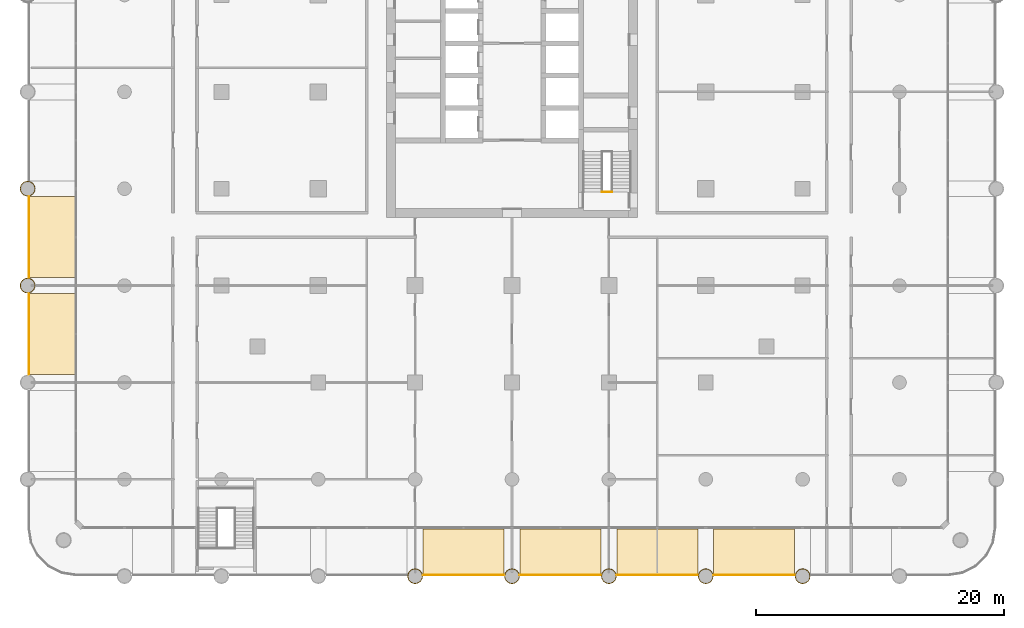
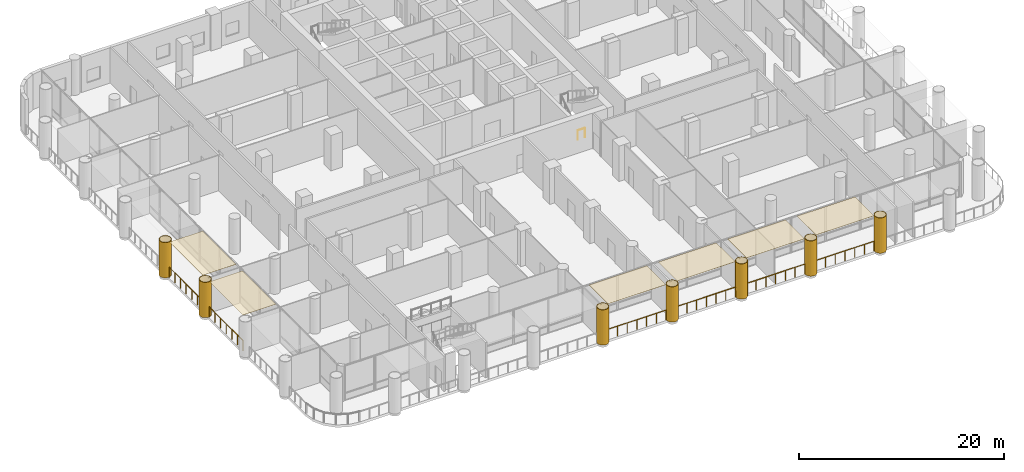
# One storey, part 21 of 24: 13 coverings, 7 railings, 1 element without a shape of its own.
"""IFC4 building model written with IfcOpenShell, lengths in metres."""

from ifc_helpers import new_model, si_unit, direction, frame, origin, origin_2d, place, context, subcontext, project, spatial, polyline, rectangle, circle, outline, extrude, material, layer, layer_set, type_object, element, aggregate, save


model = new_model("IFC4")

# Units and contexts
model_context = context("Model", 3, precision=1e-05, world=origin(), true_north=direction((0.0, 1.0)))
body_context = subcontext(model_context, "Body", "Model", "MODEL_VIEW")
ifc_project = project(units=[si_unit("LENGTHUNIT", "METRE"), si_unit("AREAUNIT", "SQUARE_METRE"), si_unit("VOLUMEUNIT", "CUBIC_METRE"), si_unit("PLANEANGLEUNIT", "RADIAN"), si_unit("MASSUNIT", "GRAM", prefix="KILO")], contexts=[model_context])

# Site, building, storey
site_placement = place(None, origin())
site = spatial("IfcSite", under=ifc_project, at=site_placement, CompositionType="ELEMENT")
building_placement = place(site_placement, origin())
building = spatial("IfcBuilding", under=site, at=building_placement, Name="Ludao Terraces", CompositionType="ELEMENT")
storey_placement = place(building_placement, frame((0.0, 0.0, 6.0)))
storey = spatial("IfcBuildingStorey", under=building, at=storey_placement, Name="L01", CompositionType="ELEMENT", Elevation=6.0)

# Coverings
ifc_material_1 = material(Name="Stone-effect cement board ceiling lining", Category="masonry")
ifc_layer_1 = layer(ifc_material_1, 0.030029296875)
ifc_layer_set_1 = layer_set([ifc_layer_1], Name="ENV Arcade ceiling lining 30")
covering_type_1 = type_object("IfcCoveringType", Name="ENV Arcade ceiling lining 30", PredefinedType="CEILING", material=ifc_layer_set_1)
for number, where, z_axis, x_axis, name in (
    (1, (81.10009765625, 27.9599609375, 4.169921875), (0.0, 0.0, 1.0), (1.0, 0.0, 0.0), "CL-L01-S4"),
    (2, (88.89990234375, 27.9599609375, 4.169921875), (0.0, 0.0, 1.0), (1.0, 0.0, 0.0), "CL-L01-S5"),
    (3, (96.699951171875, 27.9599609375, 4.169921875), (0.0, 0.0, 1.0), (1.0, 0.0, 0.0), "CL-L01-S6"),
    (4, (104.5, 27.9599609375, 4.169921875), (0.0, 0.0, 1.0), (1.0, 0.0, 0.0), "CL-L01-S7"),
):
    element("IfcCovering", number, at=place(storey_placement, frame(where, z_axis=z_axis, x_axis=x_axis)), inside=storey, type_object=covering_type_1, Name=name, PredefinedType="CEILING", context=body_context, shape_type="SweptSolid", body=[
        extrude(rectangle(XDim=6.52001953125, YDim=3.719970703125, at=origin_2d()), origin(), (0.0, 0.0, 1.0), 0.030029296875),
    ])
for number, where, z_axis, x_axis, name in (
    (5, (47.9599609375, 45.5, 4.169921875), (0.0, 0.0, 1.0), (1.0, 0.0, 0.0), "CL-L01-W2"),
    (6, (47.9599609375, 53.300048828125, 4.169921875), (0.0, 0.0, 1.0), (1.0, 0.0, 0.0), "CL-L01-W3"),
):
    element("IfcCovering", number, at=place(storey_placement, frame(where, z_axis=z_axis, x_axis=x_axis)), inside=storey, type_object=covering_type_1, Name=name, PredefinedType="CEILING", context=body_context, shape_type="SweptSolid", body=[
        extrude(rectangle(XDim=3.719970703125, YDim=6.52001953125, at=origin_2d()), origin(), (0.0, 0.0, 1.0), 0.030029296875),
    ])

# Railings
ifc_material_2 = material(Name="Steel Q235", Category="steel")
railing_type_1 = type_object("IfcRailingType", Name="ENV Open-edge guard 1200", PredefinedType="GUARDRAIL", material=ifc_material_2)
for number, where, name in (
    (7, (77.820068359375, 26.10009765625, 0.0), "Guard L01 S5"),
    (8, (85.6201171875, 26.10009765625, 0.0), "Guard L01 S6"),
):
    element("IfcRailing", number, at=place(storey_placement, frame(where)), inside=storey, type_object=railing_type_1, Name=name, PredefinedType="GUARDRAIL", context=body_context, shape_type="SweptSolid", body=[
        extrude(circle(Radius=0.02392578125, at=origin_2d()), frame((0.0, 0.0, 1.17578125), z_axis=(1.0, 0.0, 0.0), x_axis=(0.0, 1.0, 0.0)), (0.0, 0.0, 1.0), 6.559814453125),
        extrude(circle(Radius=0.02099609375, at=origin_2d()), origin(), (0.0, 0.0, 1.0), 1.15185546875),
        extrude(circle(Radius=0.02099609375, at=origin_2d()), frame((1.09326171875, 0.0, 0.0)), (0.0, 0.0, 1.0), 1.15185546875),
        extrude(circle(Radius=0.02099609375, at=origin_2d()), frame((2.1865234375, 0.0, 0.0)), (0.0, 0.0, 1.0), 1.15185546875),
        extrude(circle(Radius=0.02099609375, at=origin_2d()), frame((3.27978515625, 0.0, 0.0)), (0.0, 0.0, 1.0), 1.15185546875),
        extrude(circle(Radius=0.02099609375, at=origin_2d()), frame((4.373291015625, 0.0, 0.0)), (0.0, 0.0, 1.0), 1.15185546875),
        extrude(circle(Radius=0.02099609375, at=origin_2d()), frame((5.466552734375, 0.0, 0.0)), (0.0, 0.0, 1.0), 1.15185546875),
        extrude(circle(Radius=0.02099609375, at=origin_2d()), frame((6.559814453125, 0.0, 0.0)), (0.0, 0.0, 1.0), 1.15185546875),
    ])
for number, where, name in (
    (9, (93.419921875, 26.10009765625, 0.0), "Guard L01 S7"),
    (10, (101.219970703125, 26.10009765625, 0.0), "Guard L01 S8"),
):
    element("IfcRailing", number, at=place(storey_placement, frame(where)), inside=storey, type_object=railing_type_1, Name=name, PredefinedType="GUARDRAIL", context=body_context, shape_type="SweptSolid", body=[
        extrude(circle(Radius=0.02392578125, at=origin_2d()), frame((0.0, 0.0, 1.17578125), z_axis=(1.0, 0.0, 0.0), x_axis=(0.0, 1.0, 0.0)), (0.0, 0.0, 1.0), 6.56005859375),
        extrude(circle(Radius=0.02099609375, at=origin_2d()), origin(), (0.0, 0.0, 1.0), 1.15185546875),
        extrude(circle(Radius=0.02099609375, at=origin_2d()), frame((1.09326171875, 0.0, 0.0)), (0.0, 0.0, 1.0), 1.15185546875),
        extrude(circle(Radius=0.02099609375, at=origin_2d()), frame((2.186767578125, 0.0, 0.0)), (0.0, 0.0, 1.0), 1.15185546875),
        extrude(circle(Radius=0.02099609375, at=origin_2d()), frame((3.280029296875, 0.0, 0.0)), (0.0, 0.0, 1.0), 1.15185546875),
        extrude(circle(Radius=0.02099609375, at=origin_2d()), frame((4.373291015625, 0.0, 0.0)), (0.0, 0.0, 1.0), 1.15185546875),
        extrude(circle(Radius=0.02099609375, at=origin_2d()), frame((5.466796875, 0.0, 0.0)), (0.0, 0.0, 1.0), 1.15185546875),
        extrude(circle(Radius=0.02099609375, at=origin_2d()), frame((6.56005859375, 0.0, 0.0)), (0.0, 0.0, 1.0), 1.15185546875),
    ])
for number, where, name in (
    (11, (46.10009765625, 42.219970703125, 0.0), "Guard L01 W3"),
    (12, (46.10009765625, 50.02001953125, 0.0), "Guard L01 W4"),
):
    element("IfcRailing", number, at=place(storey_placement, frame(where)), inside=storey, type_object=railing_type_1, Name=name, PredefinedType="GUARDRAIL", context=body_context, shape_type="SweptSolid", body=[
        extrude(circle(Radius=0.02392578125, at=origin_2d()), frame((0.0, 0.0, 1.17578125), z_axis=(0.0, 1.0, 0.0), x_axis=(-1.0, 0.0, 0.0)), (0.0, 0.0, 1.0), 6.56005859375),
        extrude(circle(Radius=0.02099609375, at=origin_2d()), origin(), (0.0, 0.0, 1.0), 1.15185546875),
        extrude(circle(Radius=0.02099609375, at=origin_2d()), frame((0.0, 1.09326171875, 0.0)), (0.0, 0.0, 1.0), 1.15185546875),
        extrude(circle(Radius=0.02099609375, at=origin_2d()), frame((0.0, 2.186767578125, 0.0)), (0.0, 0.0, 1.0), 1.15185546875),
        extrude(circle(Radius=0.02099609375, at=origin_2d()), frame((0.0, 3.280029296875, 0.0)), (0.0, 0.0, 1.0), 1.15185546875),
        extrude(circle(Radius=0.02099609375, at=origin_2d()), frame((0.0, 4.373291015625, 0.0)), (0.0, 0.0, 1.0), 1.15185546875),
        extrude(circle(Radius=0.02099609375, at=origin_2d()), frame((0.0, 5.466796875, 0.0)), (0.0, 0.0, 1.0), 1.15185546875),
        extrude(circle(Radius=0.02099609375, at=origin_2d()), frame((0.0, 6.56005859375, 0.0)), (0.0, 0.0, 1.0), 1.15185546875),
    ])

# Coverings
ifc_material_3 = material(Name="Granite cladding", Category="masonry")
ifc_layer_2 = layer(ifc_material_3, 0.06005859375)
ifc_layer_set_2 = layer_set([ifc_layer_2], Name="ENV Stone column casing 60")
covering_type_2 = type_object("IfcCoveringType", Name="ENV Stone column casing 60", PredefinedType="CLADDING", material=ifc_layer_set_2)
covering_1_placement = place(storey_placement, origin())
element("IfcCovering", 13, at=covering_1_placement, inside=storey, type_object=covering_type_2, Name="CC-L01-G-156x0078", PredefinedType="CLADDING", context=body_context, shape_type="SweptSolid", body=[
    extrude(outline(polyline([(46.61474609375, 49.39990234375), (46.59375, 49.55908203125), (46.532470703125, 49.707275390625), (46.4345703125, 49.834716796875), (46.307373046875, 49.932373046875), (46.1591796875, 49.993896484375), (46.0, 50.0146484375), (45.8408203125, 49.993896484375), (45.692626953125, 49.932373046875), (45.5654296875, 49.834716796875), (45.467529296875, 49.707275390625), (45.40625, 49.55908203125), (45.38525390625, 49.39990234375), (45.40625, 49.240966796875), (45.467529296875, 49.092529296875), (45.5654296875, 48.96533203125), (45.692626953125, 48.86767578125), (45.8408203125, 48.80615234375), (46.0, 48.78515625), (46.1591796875, 48.80615234375), (46.307373046875, 48.86767578125), (46.4345703125, 48.96533203125), (46.532470703125, 49.092529296875), (46.59375, 49.240966796875), (46.61474609375, 49.39990234375)]), holes=[polyline([(46.535888671875, 49.25634765625), (46.48046875, 49.12255859375), (46.392333984375, 49.0078125), (46.27734375, 48.919677734375), (46.1435546875, 48.8642578125), (46.0, 48.84521484375), (45.8564453125, 48.8642578125), (45.72265625, 48.919677734375), (45.607666015625, 49.0078125), (45.51953125, 49.12255859375), (45.464111328125, 49.25634765625), (45.4453125, 49.39990234375), (45.464111328125, 49.54345703125), (45.51953125, 49.677490234375), (45.607666015625, 49.792236328125), (45.72265625, 49.88037109375), (45.8564453125, 49.935791015625), (46.0, 49.954833984375), (46.1435546875, 49.935791015625), (46.27734375, 49.88037109375), (46.392333984375, 49.792236328125), (46.48046875, 49.677490234375), (46.535888671875, 49.54345703125), (46.5546875, 49.39990234375), (46.535888671875, 49.25634765625)])]), origin(), (0.0, 0.0, 1.0), 4.199951171875),
])
covering_2_placement = place(storey_placement, origin())
element("IfcCovering", 14, at=covering_2_placement, inside=storey, type_object=covering_type_2, Name="CC-L01-G-156x0156", PredefinedType="CLADDING", context=body_context, shape_type="SweptSolid", body=[
    extrude(outline(polyline([(46.61474609375, 57.199951171875), (46.59375, 57.359130859375), (46.532470703125, 57.50732421875), (46.4345703125, 57.634765625), (46.307373046875, 57.732421875), (46.1591796875, 57.793701171875), (46.0, 57.814697265625), (45.8408203125, 57.793701171875), (45.692626953125, 57.732421875), (45.5654296875, 57.634765625), (45.467529296875, 57.50732421875), (45.40625, 57.359130859375), (45.38525390625, 57.199951171875), (45.40625, 57.040771484375), (45.467529296875, 56.892578125), (45.5654296875, 56.765380859375), (45.692626953125, 56.667724609375), (45.8408203125, 56.606201171875), (46.0, 56.585205078125), (46.1591796875, 56.606201171875), (46.307373046875, 56.667724609375), (46.4345703125, 56.765380859375), (46.532470703125, 56.892578125), (46.59375, 57.040771484375), (46.61474609375, 57.199951171875)]), holes=[polyline([(46.535888671875, 57.056396484375), (46.48046875, 56.922607421875), (46.392333984375, 56.8076171875), (46.27734375, 56.719482421875), (46.1435546875, 56.6640625), (46.0, 56.645263671875), (45.8564453125, 56.6640625), (45.72265625, 56.719482421875), (45.607666015625, 56.8076171875), (45.51953125, 56.922607421875), (45.464111328125, 57.056396484375), (45.4453125, 57.199951171875), (45.464111328125, 57.343505859375), (45.51953125, 57.477294921875), (45.607666015625, 57.59228515625), (45.72265625, 57.680419921875), (45.8564453125, 57.73583984375), (46.0, 57.754638671875), (46.1435546875, 57.73583984375), (46.27734375, 57.680419921875), (46.392333984375, 57.59228515625), (46.48046875, 57.477294921875), (46.535888671875, 57.343505859375), (46.5546875, 57.199951171875), (46.535888671875, 57.056396484375)])]), origin(), (0.0, 0.0, 1.0), 4.199951171875),
])
covering_3_placement = place(storey_placement, origin())
element("IfcCovering", 15, at=covering_3_placement, inside=storey, type_object=covering_type_2, Name="CC-L01-G0156x-156", PredefinedType="CLADDING", context=body_context, shape_type="SweptSolid", body=[
    extrude(outline(polyline([(77.814697265625, 26.0), (77.793701171875, 26.1591796875), (77.732421875, 26.307373046875), (77.634765625, 26.4345703125), (77.50732421875, 26.532470703125), (77.359130859375, 26.59375), (77.199951171875, 26.61474609375), (77.040771484375, 26.59375), (76.892578125, 26.532470703125), (76.765380859375, 26.4345703125), (76.667724609375, 26.307373046875), (76.606201171875, 26.1591796875), (76.585205078125, 26.0), (76.606201171875, 25.8408203125), (76.667724609375, 25.692626953125), (76.765380859375, 25.5654296875), (76.892578125, 25.467529296875), (77.040771484375, 25.40625), (77.199951171875, 25.38525390625), (77.359130859375, 25.40625), (77.50732421875, 25.467529296875), (77.634765625, 25.5654296875), (77.732421875, 25.692626953125), (77.793701171875, 25.8408203125), (77.814697265625, 26.0)]), holes=[polyline([(77.73583984375, 25.8564453125), (77.680419921875, 25.72265625), (77.59228515625, 25.607666015625), (77.477294921875, 25.51953125), (77.343505859375, 25.464111328125), (77.199951171875, 25.4453125), (77.056396484375, 25.464111328125), (76.922607421875, 25.51953125), (76.8076171875, 25.607666015625), (76.719482421875, 25.72265625), (76.6640625, 25.8564453125), (76.645263671875, 26.0), (76.6640625, 26.1435546875), (76.719482421875, 26.27734375), (76.8076171875, 26.392333984375), (76.922607421875, 26.48046875), (77.056396484375, 26.535888671875), (77.199951171875, 26.5546875), (77.343505859375, 26.535888671875), (77.477294921875, 26.48046875), (77.59228515625, 26.392333984375), (77.680419921875, 26.27734375), (77.73583984375, 26.1435546875), (77.754638671875, 26.0), (77.73583984375, 25.8564453125)])]), origin(), (0.0, 0.0, 1.0), 4.199951171875),
])
covering_4_placement = place(storey_placement, origin())
element("IfcCovering", 16, at=covering_4_placement, inside=storey, type_object=covering_type_2, Name="CC-L01-G0234x-156", PredefinedType="CLADDING", context=body_context, shape_type="SweptSolid", body=[
    extrude(outline(polyline([(85.61474609375, 26.0), (85.59375, 26.1591796875), (85.532470703125, 26.307373046875), (85.4345703125, 26.4345703125), (85.307373046875, 26.532470703125), (85.1591796875, 26.59375), (85.0, 26.61474609375), (84.8408203125, 26.59375), (84.692626953125, 26.532470703125), (84.5654296875, 26.4345703125), (84.467529296875, 26.307373046875), (84.40625, 26.1591796875), (84.38525390625, 26.0), (84.40625, 25.8408203125), (84.467529296875, 25.692626953125), (84.5654296875, 25.5654296875), (84.692626953125, 25.467529296875), (84.8408203125, 25.40625), (85.0, 25.38525390625), (85.1591796875, 25.40625), (85.307373046875, 25.467529296875), (85.4345703125, 25.5654296875), (85.532470703125, 25.692626953125), (85.59375, 25.8408203125), (85.61474609375, 26.0)]), holes=[polyline([(85.535888671875, 25.8564453125), (85.48046875, 25.72265625), (85.392333984375, 25.607666015625), (85.27734375, 25.51953125), (85.1435546875, 25.464111328125), (85.0, 25.4453125), (84.8564453125, 25.464111328125), (84.72265625, 25.51953125), (84.607666015625, 25.607666015625), (84.51953125, 25.72265625), (84.464111328125, 25.8564453125), (84.4453125, 26.0), (84.464111328125, 26.1435546875), (84.51953125, 26.27734375), (84.607666015625, 26.392333984375), (84.72265625, 26.48046875), (84.8564453125, 26.535888671875), (85.0, 26.5546875), (85.1435546875, 26.535888671875), (85.27734375, 26.48046875), (85.392333984375, 26.392333984375), (85.48046875, 26.27734375), (85.535888671875, 26.1435546875), (85.5546875, 26.0), (85.535888671875, 25.8564453125)])]), origin(), (0.0, 0.0, 1.0), 4.199951171875),
])
covering_5_placement = place(storey_placement, origin())
element("IfcCovering", 17, at=covering_5_placement, inside=storey, type_object=covering_type_2, Name="CC-L01-G0312x-156", PredefinedType="CLADDING", context=body_context, shape_type="SweptSolid", body=[
    extrude(outline(polyline([(93.414794921875, 26.0), (93.393798828125, 26.1591796875), (93.332275390625, 26.307373046875), (93.234619140625, 26.4345703125), (93.107421875, 26.532470703125), (92.959228515625, 26.59375), (92.800048828125, 26.61474609375), (92.640869140625, 26.59375), (92.49267578125, 26.532470703125), (92.365234375, 26.4345703125), (92.267578125, 26.307373046875), (92.206298828125, 26.1591796875), (92.185302734375, 26.0), (92.206298828125, 25.8408203125), (92.267578125, 25.692626953125), (92.365234375, 25.5654296875), (92.49267578125, 25.467529296875), (92.640869140625, 25.40625), (92.800048828125, 25.38525390625), (92.959228515625, 25.40625), (93.107421875, 25.467529296875), (93.234619140625, 25.5654296875), (93.332275390625, 25.692626953125), (93.393798828125, 25.8408203125), (93.414794921875, 26.0)]), holes=[polyline([(93.3359375, 25.8564453125), (93.280517578125, 25.72265625), (93.1923828125, 25.607666015625), (93.077392578125, 25.51953125), (92.943603515625, 25.464111328125), (92.800048828125, 25.4453125), (92.656494140625, 25.464111328125), (92.522705078125, 25.51953125), (92.40771484375, 25.607666015625), (92.319580078125, 25.72265625), (92.26416015625, 25.8564453125), (92.245361328125, 26.0), (92.26416015625, 26.1435546875), (92.319580078125, 26.27734375), (92.40771484375, 26.392333984375), (92.522705078125, 26.48046875), (92.656494140625, 26.535888671875), (92.800048828125, 26.5546875), (92.943603515625, 26.535888671875), (93.077392578125, 26.48046875), (93.1923828125, 26.392333984375), (93.280517578125, 26.27734375), (93.3359375, 26.1435546875), (93.354736328125, 26.0), (93.3359375, 25.8564453125)])]), origin(), (0.0, 0.0, 1.0), 4.199951171875),
])
covering_6_placement = place(storey_placement, origin())
element("IfcCovering", 18, at=covering_6_placement, inside=storey, type_object=covering_type_2, Name="CC-L01-G0390x-156", PredefinedType="CLADDING", context=body_context, shape_type="SweptSolid", body=[
    extrude(outline(polyline([(101.21484375, 26.0), (101.19384765625, 26.1591796875), (101.13232421875, 26.307373046875), (101.03466796875, 26.4345703125), (100.907470703125, 26.532470703125), (100.759033203125, 26.59375), (100.60009765625, 26.61474609375), (100.44091796875, 26.59375), (100.292724609375, 26.532470703125), (100.165283203125, 26.4345703125), (100.067626953125, 26.307373046875), (100.006103515625, 26.1591796875), (99.9853515625, 26.0), (100.006103515625, 25.8408203125), (100.067626953125, 25.692626953125), (100.165283203125, 25.5654296875), (100.292724609375, 25.467529296875), (100.44091796875, 25.40625), (100.60009765625, 25.38525390625), (100.759033203125, 25.40625), (100.907470703125, 25.467529296875), (101.03466796875, 25.5654296875), (101.13232421875, 25.692626953125), (101.19384765625, 25.8408203125), (101.21484375, 26.0)]), holes=[polyline([(101.1357421875, 25.8564453125), (101.080322265625, 25.72265625), (100.9921875, 25.607666015625), (100.87744140625, 25.51953125), (100.74365234375, 25.464111328125), (100.60009765625, 25.4453125), (100.45654296875, 25.464111328125), (100.322509765625, 25.51953125), (100.207763671875, 25.607666015625), (100.11962890625, 25.72265625), (100.064208984375, 25.8564453125), (100.045166015625, 26.0), (100.064208984375, 26.1435546875), (100.11962890625, 26.27734375), (100.207763671875, 26.392333984375), (100.322509765625, 26.48046875), (100.45654296875, 26.535888671875), (100.60009765625, 26.5546875), (100.74365234375, 26.535888671875), (100.87744140625, 26.48046875), (100.9921875, 26.392333984375), (101.080322265625, 26.27734375), (101.1357421875, 26.1435546875), (101.15478515625, 26.0), (101.1357421875, 25.8564453125)])]), origin(), (0.0, 0.0, 1.0), 4.199951171875),
])
covering_7_placement = place(storey_placement, origin())
element("IfcCovering", 19, at=covering_7_placement, inside=storey, type_object=covering_type_2, Name="CC-L01-G0468x-156", PredefinedType="CLADDING", context=body_context, shape_type="SweptSolid", body=[
    extrude(outline(polyline([(109.0146484375, 26.0), (108.993896484375, 26.1591796875), (108.932373046875, 26.307373046875), (108.834716796875, 26.4345703125), (108.707275390625, 26.532470703125), (108.55908203125, 26.59375), (108.39990234375, 26.61474609375), (108.240966796875, 26.59375), (108.092529296875, 26.532470703125), (107.96533203125, 26.4345703125), (107.86767578125, 26.307373046875), (107.80615234375, 26.1591796875), (107.78515625, 26.0), (107.80615234375, 25.8408203125), (107.86767578125, 25.692626953125), (107.96533203125, 25.5654296875), (108.092529296875, 25.467529296875), (108.240966796875, 25.40625), (108.39990234375, 25.38525390625), (108.55908203125, 25.40625), (108.707275390625, 25.467529296875), (108.834716796875, 25.5654296875), (108.932373046875, 25.692626953125), (108.993896484375, 25.8408203125), (109.0146484375, 26.0)]), holes=[polyline([(108.935791015625, 25.8564453125), (108.88037109375, 25.72265625), (108.792236328125, 25.607666015625), (108.677490234375, 25.51953125), (108.54345703125, 25.464111328125), (108.39990234375, 25.4453125), (108.25634765625, 25.464111328125), (108.12255859375, 25.51953125), (108.0078125, 25.607666015625), (107.919677734375, 25.72265625), (107.8642578125, 25.8564453125), (107.84521484375, 26.0), (107.8642578125, 26.1435546875), (107.919677734375, 26.27734375), (108.0078125, 26.392333984375), (108.12255859375, 26.48046875), (108.25634765625, 26.535888671875), (108.39990234375, 26.5546875), (108.54345703125, 26.535888671875), (108.677490234375, 26.48046875), (108.792236328125, 26.392333984375), (108.88037109375, 26.27734375), (108.935791015625, 26.1435546875), (108.954833984375, 26.0), (108.935791015625, 25.8564453125)])]), origin(), (0.0, 0.0, 1.0), 4.199951171875),
])

# Stair, railing
ifc_material_4 = material(Name="Concrete C40", Category="concrete")
stair_type = type_object("IfcStairType", Name="INT Stair", PredefinedType="HALF_TURN_STAIR", material=ifc_material_4)
stair_placement = place(storey_placement, origin())
stair = element("IfcStair", 20, at=stair_placement, inside=storey, type_object=stair_type, Name="EXIT STAIR 3", PredefinedType="HALF_TURN_STAIR")
ifc_material_5 = material(Name="Stainless steel 304", Category="steel")
railing_type_2 = type_object("IfcRailingType", Name="INT Stair guard 1100", PredefinedType="GUARDRAIL", material=ifc_material_5)
railing_placement = place(storey_placement, frame((92.25, 56.949951171875, 0.0)))
railing = element("IfcRailing", 21, at=railing_placement, type_object=railing_type_2, Name="ST-L01-S3-E2G", PredefinedType="GUARDRAIL", context=body_context, shape_type="SweptSolid", body=[
    extrude(circle(Radius=0.02392578125, at=origin_2d()), frame((0.0, 0.0, 1.076171875), z_axis=(1.0, 0.0, 0.0), x_axis=(0.0, 1.0, 0.0)), (0.0, 0.0, 1.0), 0.800048828125),
    extrude(circle(Radius=0.02099609375, at=origin_2d()), origin(), (0.0, 0.0, 1.0), 1.052001953125),
    extrude(circle(Radius=0.02099609375, at=origin_2d()), frame((0.800048828125, 0.0, 0.0)), (0.0, 0.0, 1.0), 1.052001953125),
])
aggregate(stair, [railing])

save(model, "model.ifc")
